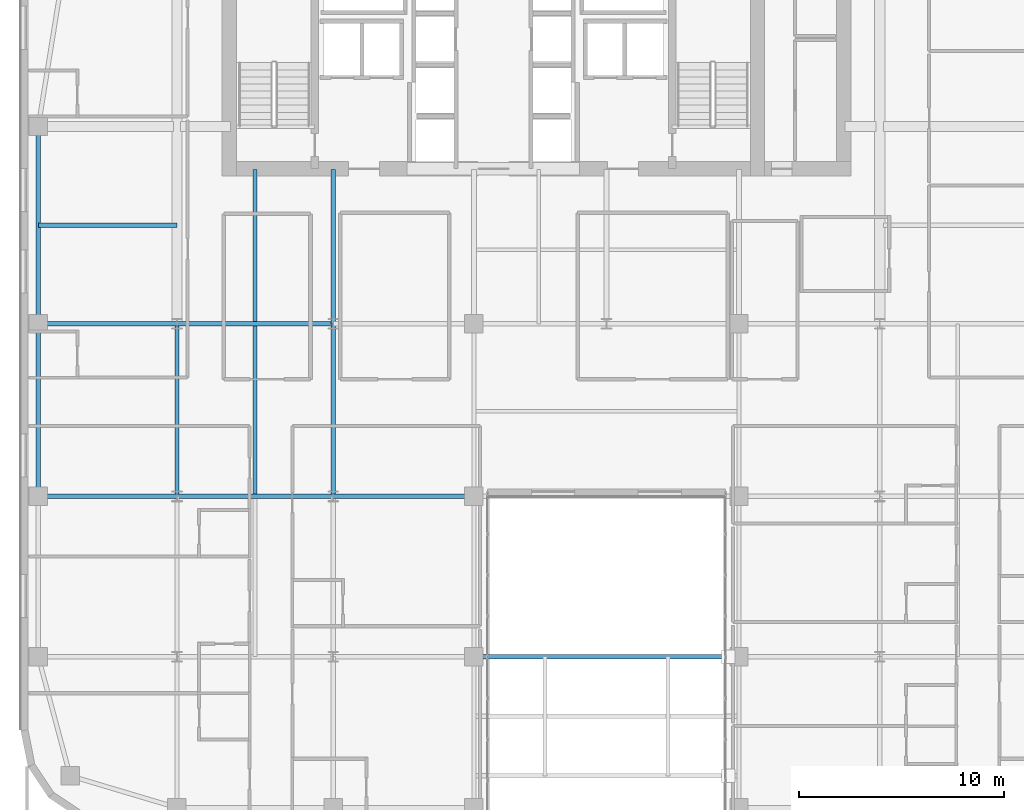
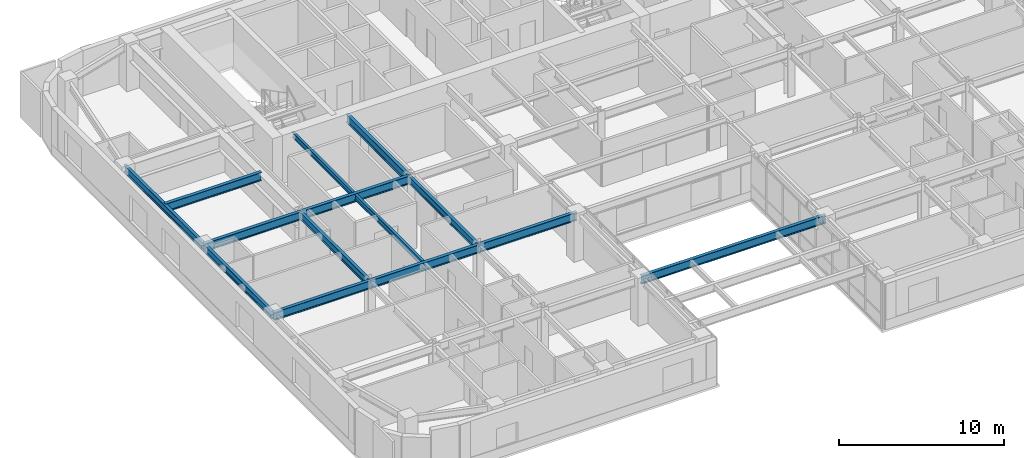
# One storey, part 4 of 24: 14 beams.
"""IFC4 building model written with IfcOpenShell, lengths in metres."""

from ifc_helpers import new_model, si_unit, direction, frame, origin, origin_2d, place, context, subcontext, project, spatial, i_section, extrude, source, transform, mapped, material, material_profile, profile_set, type_object, type_shapes, element, save


model = new_model("IFC4")

# Units and contexts
model_context = context("Model", 3, precision=1e-05, world=origin(), true_north=direction((0.0, 1.0)))
body_context = subcontext(model_context, "Body", "Model", "MODEL_VIEW")
ifc_project = project(units=[si_unit("LENGTHUNIT", "METRE"), si_unit("AREAUNIT", "SQUARE_METRE"), si_unit("VOLUMEUNIT", "CUBIC_METRE"), si_unit("PLANEANGLEUNIT", "RADIAN"), si_unit("MASSUNIT", "GRAM", prefix="KILO")], contexts=[model_context])

# Site, building, storey
site_placement = place(None, origin())
site = spatial("IfcSite", under=ifc_project, at=site_placement, CompositionType="ELEMENT")
building_placement = place(site_placement, origin())
building = spatial("IfcBuilding", under=site, at=building_placement, Name="Tolvann Quenvar Hotel", CompositionType="ELEMENT")
storey_placement = place(building_placement, frame((0.0, 0.0, 118.64990234375)))
storey = spatial("IfcBuildingStorey", under=building, at=storey_placement, Name="L30", CompositionType="ELEMENT", Elevation=118.64990234375)

# Beams
ifc_material = material(Name="Steel Grade 350", Category="steel")
ifc_material_profile_1 = material_profile(ifc_material, i_section(OverallWidth=0.22900390625, OverallDepth=0.612060546875, WebThickness=0.011962890625, FlangeThickness=0.01953125, FilletRadius=0.013916015625, at=origin_2d()), Name="610UB125")
ifc_profile_set_1 = profile_set([ifc_material_profile_1], Name="Steel Grade 350")
beam_type_1 = type_object("IfcBeamType", Name="BM_GIRD_610UB125", PredefinedType="BEAM", material=ifc_profile_set_1)
shared_shape_1 = source(origin(), body_context, "Body", "SweptSolid", [
    extrude(i_section(OverallWidth=0.22900390625, OverallDepth=0.612060546875, WebThickness=0.011962890625, FlangeThickness=0.01953125, FilletRadius=0.013916015625, at=origin_2d()), origin(), (0.0, 0.0, 1.0), 6.75),
])
for number, where, z_axis, x_axis, name in (
    (1, (0.85009765625, 16.0, 3.064208984375), (1.0, 0.0, 0.0), (0.0, 1.0, 0.0), "BM-L30-EW-4-B4-C4"),
    (2, (0.85009765625, 24.39990234375, 3.064208984375), (1.0, 0.0, 0.0), (0.0, 1.0, 0.0), "BM-L30-EW-5-B5-C5"),
    (3, (0.85009765625, 29.199951171875, 3.064208984375), (1.0, 0.0, 0.0), (0.0, 1.0, 0.0), "BM-L30-EW-BC29"),
):
    element("IfcBeam", number, at=place(storey_placement, frame(where, z_axis=z_axis, x_axis=x_axis)), inside=storey, type_object=beam_type_1, Name=name, PredefinedType="BEAM", context=body_context, shape_type="MappedRepresentation", body=[
        mapped(shared_shape_1, transform((0.0, 0.0, 0.0), x_axis=(1.0, 0.0, 0.0), y_axis=(0.0, 1.0, 0.0), z_axis=(0.0, 0.0, 1.0), scale=1.0)),
    ])
shared_shape_2 = source(origin(), body_context, "Body", "SweptSolid", [
    extrude(i_section(OverallWidth=0.22900390625, OverallDepth=0.612060546875, WebThickness=0.011962890625, FlangeThickness=0.01953125, FilletRadius=0.013916015625, at=origin_2d()), origin(), (0.0, 0.0, 1.0), 7.599853515625),
])
for number, where, z_axis, x_axis, name in (
    (4, (7.60009765625, 16.0, 3.064208984375), (1.0, 0.0, 0.0), (0.0, 1.0, 0.0), "BM-L30-EW-4-C4-D4"),
    (5, (7.60009765625, 24.39990234375, 3.064208984375), (1.0, 0.0, 0.0), (0.0, 1.0, 0.0), "BM-L30-EW-5-C5-D5"),
):
    element("IfcBeam", number, at=place(storey_placement, frame(where, z_axis=z_axis, x_axis=x_axis)), inside=storey, type_object=beam_type_1, Name=name, PredefinedType="BEAM", context=body_context, shape_type="MappedRepresentation", body=[
        mapped(shared_shape_2, transform((0.0, 0.0, 0.0), x_axis=(1.0, 0.0, 0.0), y_axis=(0.0, 1.0, 0.0), z_axis=(0.0, 0.0, 1.0), scale=1.0)),
    ])
shared_shape_3 = source(origin(), body_context, "Body", "SweptSolid", [
    extrude(i_section(OverallWidth=0.22900390625, OverallDepth=0.612060546875, WebThickness=0.011962890625, FlangeThickness=0.01953125, FilletRadius=0.013916015625, at=origin_2d()), origin(), (0.0, 0.0, 1.0), 6.85009765625),
])
beam_1_placement = place(storey_placement, frame((15.199951171875, 16.0, 3.064208984375), z_axis=(1.0, 0.0, 0.0), x_axis=(0.0, 1.0, 0.0)))
element("IfcBeam", 6, at=beam_1_placement, inside=storey, type_object=beam_type_1, Name="BM-L30-EW-4-D4-E4", PredefinedType="BEAM", context=body_context, shape_type="MappedRepresentation", body=[
    mapped(shared_shape_3, transform((0.0, 0.0, 0.0), x_axis=(1.0, 0.0, 0.0), y_axis=(0.0, 1.0, 0.0), z_axis=(0.0, 0.0, 1.0), scale=1.0)),
])
shared_shape_4 = source(origin(), body_context, "Body", "SweptSolid", [
    extrude(i_section(OverallWidth=0.22900390625, OverallDepth=0.612060546875, WebThickness=0.011962890625, FlangeThickness=0.01953125, FilletRadius=0.013916015625, at=origin_2d()), origin(), (0.0, 0.0, 1.0), 12.89990234375),
])
beam_2_placement = place(storey_placement, frame((22.050048828125, 8.199951171875, 3.064208984375), z_axis=(1.0, 0.0, 0.0), x_axis=(0.0, 1.0, 0.0)))
element("IfcBeam", 7, at=beam_2_placement, inside=storey, type_object=beam_type_1, Name="Skybridge Longitudinal Support Girder (L31-N)", PredefinedType="BEAM", context=body_context, shape_type="MappedRepresentation", body=[
    mapped(shared_shape_4, transform((0.0, 0.0, 0.0), x_axis=(1.0, 0.0, 0.0), y_axis=(0.0, 1.0, 0.0), z_axis=(0.0, 0.0, 1.0), scale=1.0)),
])
ifc_material_profile_2 = material_profile(ifc_material, i_section(OverallWidth=0.208984375, OverallDepth=0.528076171875, WebThickness=0.009521484375, FlangeThickness=0.01318359375, FilletRadius=0.013916015625, at=origin_2d()), Name="530UB82")
ifc_profile_set_2 = profile_set([ifc_material_profile_2], Name="Steel Grade 350")
beam_type_2 = type_object("IfcBeamType", Name="BM_SPAND_530UB82", PredefinedType="SPANDREL", material=ifc_profile_set_2)
shared_shape_5 = source(origin(), body_context, "Body", "SweptSolid", [
    extrude(i_section(OverallWidth=0.208984375, OverallDepth=0.528076171875, WebThickness=0.009521484375, FlangeThickness=0.01318359375, FilletRadius=0.013916015625, at=origin_2d()), origin(), (0.0, 0.0, 1.0), 8.39990234375),
])
beam_3_placement = place(storey_placement, frame((0.85009765625, 16.0, 3.106201171875), z_axis=(0.0, 1.0, 0.0), x_axis=(-1.0, 0.0, 0.0)))
element("IfcBeam", 8, at=beam_3_placement, inside=storey, type_object=beam_type_2, Name="BM-L30-NS-B4-B5", PredefinedType="SPANDREL", context=body_context, shape_type="MappedRepresentation", body=[
    mapped(shared_shape_5, transform((0.0, 0.0, 0.0), x_axis=(1.0, 0.0, 0.0), y_axis=(0.0, 1.0, 0.0), z_axis=(0.0, 0.0, 1.0), scale=1.0)),
])
ifc_material_profile_3 = material_profile(ifc_material, i_section(OverallWidth=0.208984375, OverallDepth=0.532958984375, WebThickness=0.01025390625, FlangeThickness=0.015625, FilletRadius=0.013916015625, at=origin_2d()), Name="530UB92")
ifc_profile_set_3 = profile_set([ifc_material_profile_3], Name="Steel Grade 350")
beam_type_3 = type_object("IfcBeamType", Name="BM_GIRD_530UB92", PredefinedType="BEAM", material=ifc_profile_set_3)
shared_shape_6 = source(origin(), body_context, "Body", "SweptSolid", [
    extrude(i_section(OverallWidth=0.208984375, OverallDepth=0.532958984375, WebThickness=0.01025390625, FlangeThickness=0.015625, FilletRadius=0.013916015625, at=origin_2d()), origin(), (0.0, 0.0, 1.0), 8.39990234375),
])
type_shapes(beam_type_3, [shared_shape_6])
for number, where, z_axis, x_axis, name in (
    (9, (7.60009765625, 16.0, 3.103515625), (0.0, 1.0, 0.0), (-1.0, 0.0, 0.0), "BM-L30-NS-C4-C5"),
    (10, (15.199951171875, 16.0, 3.103515625), (0.0, 1.0, 0.0), (-1.0, 0.0, 0.0), "BM-L30-NS-D4-D5"),
):
    element("IfcBeam", number, at=place(storey_placement, frame(where, z_axis=z_axis, x_axis=x_axis)), inside=storey, type_object=beam_type_3, Name=name, PredefinedType="BEAM", context=body_context, shape_type="MappedRepresentation", body=[
        mapped(shared_shape_6, transform((0.0, 0.0, 0.0), x_axis=(1.0, 0.0, 0.0), y_axis=(0.0, 1.0, 0.0), z_axis=(0.0, 0.0, 1.0), scale=1.0)),
    ])
shared_shape_7 = source(origin(), body_context, "Body", "SweptSolid", [
    extrude(i_section(OverallWidth=0.22900390625, OverallDepth=0.612060546875, WebThickness=0.011962890625, FlangeThickness=0.01953125, FilletRadius=0.013916015625, at=origin_2d()), origin(), (0.0, 0.0, 1.0), 7.5),
])
type_shapes(beam_type_1, [shared_shape_1, shared_shape_2, shared_shape_3, shared_shape_4, shared_shape_7])
beam_4_placement = place(storey_placement, frame((15.199951171875, 24.39990234375, 3.064208984375), z_axis=(0.0, 1.0, 0.0), x_axis=(-1.0, 0.0, 0.0)))
element("IfcBeam", 11, at=beam_4_placement, inside=storey, type_object=beam_type_1, Name="BM-L30-CORE-D5", PredefinedType="BEAM", context=body_context, shape_type="MappedRepresentation", body=[
    mapped(shared_shape_7, transform((0.0, 0.0, 0.0), x_axis=(1.0, 0.0, 0.0), y_axis=(0.0, 1.0, 0.0), z_axis=(0.0, 0.0, 1.0), scale=1.0)),
])
shared_shape_8 = source(origin(), body_context, "Body", "SweptSolid", [
    extrude(i_section(OverallWidth=0.208984375, OverallDepth=0.528076171875, WebThickness=0.009521484375, FlangeThickness=0.01318359375, FilletRadius=0.013916015625, at=origin_2d()), origin(), (0.0, 0.0, 1.0), 9.60009765625),
])
type_shapes(beam_type_2, [shared_shape_5, shared_shape_8])
beam_5_placement = place(storey_placement, frame((0.85009765625, 24.39990234375, 3.106201171875), z_axis=(0.0, 1.0, 0.0), x_axis=(-1.0, 0.0, 0.0)))
element("IfcBeam", 12, at=beam_5_placement, inside=storey, type_object=beam_type_2, Name="BM-L30-FLK-W1", PredefinedType="SPANDREL", context=body_context, shape_type="MappedRepresentation", body=[
    mapped(shared_shape_8, transform((0.0, 0.0, 0.0), x_axis=(1.0, 0.0, 0.0), y_axis=(0.0, 1.0, 0.0), z_axis=(0.0, 0.0, 1.0), scale=1.0)),
])
ifc_material_profile_4 = material_profile(ifc_material, i_section(OverallWidth=0.177978515625, OverallDepth=0.406005859375, WebThickness=0.0078125, FlangeThickness=0.0126953125, FilletRadius=0.011474609375, at=origin_2d()), Name="410UB60")
ifc_profile_set_4 = profile_set([ifc_material_profile_4], Name="Steel Grade 350")
beam_type_4 = type_object("IfcBeamType", Name="BM_JOIST_410UB60", PredefinedType="JOIST", material=ifc_profile_set_4)
shared_shape_9 = source(origin(), body_context, "Body", "SweptSolid", [
    extrude(i_section(OverallWidth=0.177978515625, OverallDepth=0.406005859375, WebThickness=0.0078125, FlangeThickness=0.0126953125, FilletRadius=0.011474609375, at=origin_2d()), origin(), (0.0, 0.0, 1.0), 8.18310546875),
])
beam_6_placement = place(storey_placement, frame((11.39990234375, 16.1083984375, 3.1669921875), z_axis=(0.0, 1.0, 0.0), x_axis=(-1.0, 0.0, 0.0)))
element("IfcBeam", 13, at=beam_6_placement, inside=storey, type_object=beam_type_4, Name="BJ-L30-114-160", PredefinedType="JOIST", context=body_context, shape_type="MappedRepresentation", body=[
    mapped(shared_shape_9, transform((0.0, 0.0, 0.0), x_axis=(1.0, 0.0, 0.0), y_axis=(0.0, 1.0, 0.0), z_axis=(0.0, 0.0, 1.0), scale=1.0)),
])
shared_shape_10 = source(origin(), body_context, "Body", "SweptSolid", [
    extrude(i_section(OverallWidth=0.177978515625, OverallDepth=0.406005859375, WebThickness=0.0078125, FlangeThickness=0.0126953125, FilletRadius=0.011474609375, at=origin_2d()), origin(), (0.0, 0.0, 1.0), 7.391357421875),
])
type_shapes(beam_type_4, [shared_shape_9, shared_shape_10])
beam_7_placement = place(storey_placement, frame((11.39990234375, 24.508544921875, 3.1669921875), z_axis=(0.0, 1.0, 0.0), x_axis=(-1.0, 0.0, 0.0)))
element("IfcBeam", 14, at=beam_7_placement, inside=storey, type_object=beam_type_4, Name="BJ-L30-114-244", PredefinedType="JOIST", context=body_context, shape_type="MappedRepresentation", body=[
    mapped(shared_shape_10, transform((0.0, 0.0, 0.0), x_axis=(1.0, 0.0, 0.0), y_axis=(0.0, 1.0, 0.0), z_axis=(0.0, 0.0, 1.0), scale=1.0)),
])

save(model, "model.ifc")
